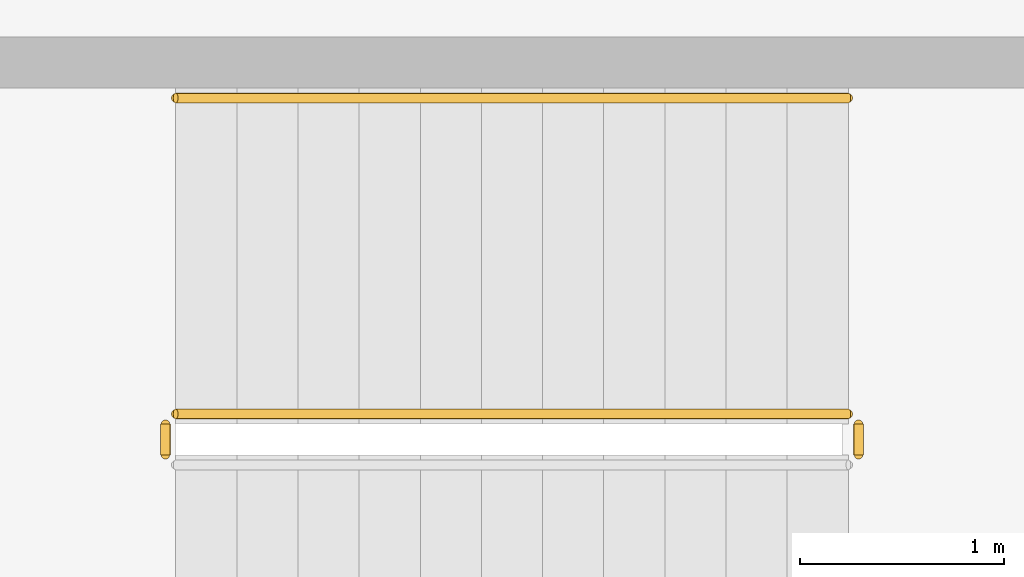
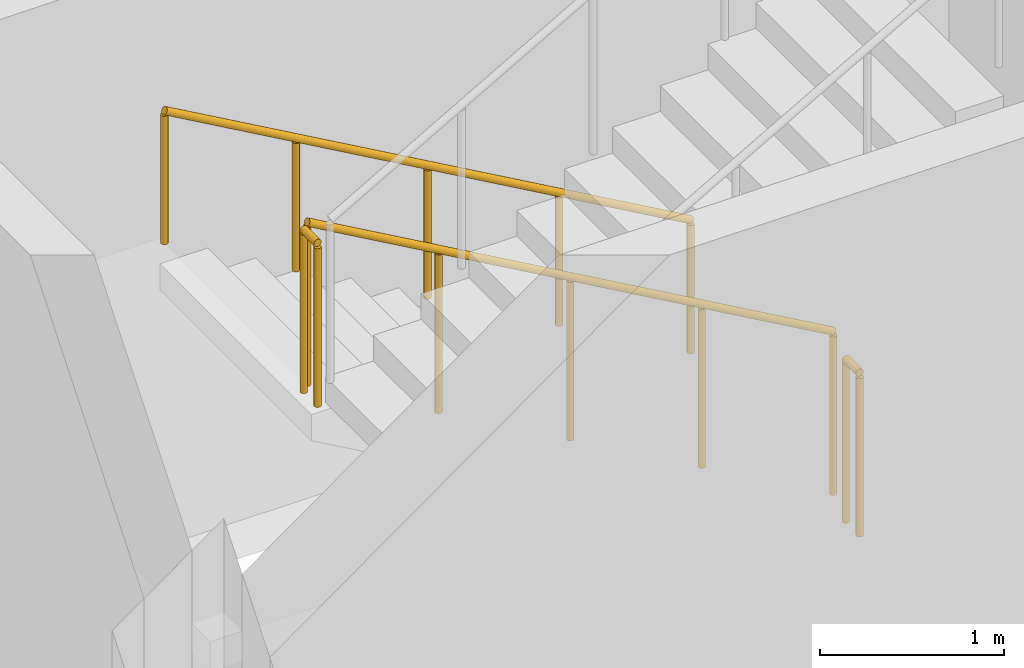
# One storey, part 26 of 31: 4 railings.
"""IFC4 building model written with IfcOpenShell, lengths in metres."""

import ifcopenshell
import ifcopenshell.guid

model = None  # the IFC model being written
_history = None  # IfcOwnerHistory: only IFC2X3 demands one
_inside = {}  # id of a spatial element -> (the spatial element, [elements in it])
_under = {}  # id of a project, library or spatial element -> (it, [spatial elements below it])
_declared = {}  # id of a project -> (the project, [libraries it declares])
_typed = {}  # id of a type object -> (the type object, [elements of that type])
_made_of = {}  # id of a material, layer set ... -> (it, [elements and type objects made of it])


def new_model(schema):
    """Start an empty IFC model of exactly this schema.

    Asked for "IFC4X3", IfcOpenShell would pick the latest addendum, in which some entities
    have other attributes; the version numbers below select the first issue.
    IFC2X3 requires an IfcOwnerHistory on every rooted entity: one is made here for all.
    """
    global model, _history
    if schema == "IFC4X3":
        model = ifcopenshell.file(schema_version=(4, 3, 0, 0))
    else:
        model = ifcopenshell.file(schema=schema)
    _inside.clear()
    _under.clear()
    _declared.clear()
    _typed.clear()
    _made_of.clear()
    _history = None
    if model.schema == "IFC2X3":
        org = make("IfcOrganization", Name="unknown")
        user = make(
            "IfcPersonAndOrganization",
            ThePerson=make("IfcPerson", FamilyName="unknown"),
            TheOrganization=org,
        )
        app = make(
            "IfcApplication",
            ApplicationDeveloper=org,
            Version="unknown",
            ApplicationFullName="unknown",
            ApplicationIdentifier="unknown",
        )
        _history = make(
            "IfcOwnerHistory",
            OwningUser=user,
            OwningApplication=app,
            ChangeAction="ADDED",
            CreationDate=0,
        )
    return model


def make(cls, **values):
    """One entity of the class cls with the attributes given. An attribute that is None is left unset."""
    return model.create_entity(
        cls, **{name: value for name, value in values.items() if value is not None}
    )


def rooted(cls, **values):
    """An entity with a GlobalId (a new one), such as an element, a storey or a relation."""
    return make(cls, GlobalId=ifcopenshell.guid.new(), OwnerHistory=_history, **values)


def si_unit(unit_type, name, prefix=None):
    """IfcSIUnit, for example si_unit("LENGTHUNIT", "METRE", prefix="MILLI")."""
    return make("IfcSIUnit", UnitType=unit_type, Prefix=prefix, Name=name)


def assignment(units):
    """IfcUnitAssignment: the units of a project."""
    return None if units is None else make("IfcUnitAssignment", Units=units)


def point(xyz):
    """IfcCartesianPoint."""
    return None if xyz is None else make("IfcCartesianPoint", Coordinates=xyz)


def direction(xyz):
    """IfcDirection."""
    return None if xyz is None else make("IfcDirection", DirectionRatios=xyz)


def frame(location, z_axis=None, x_axis=None):
    """IfcAxis2Placement3D, a coordinate frame: its origin and axes. An axis left out is left unset."""
    return make(
        "IfcAxis2Placement3D",
        Location=point(location),
        Axis=direction(z_axis),
        RefDirection=direction(x_axis),
    )


def frame_2d(location, x_axis=None):
    """IfcAxis2Placement2D, a coordinate frame in the plane: its origin and x axis."""
    return make(
        "IfcAxis2Placement2D", Location=point(location), RefDirection=direction(x_axis)
    )


def origin():
    """The frame at (0, 0, 0) with its axes left unset."""
    return frame((0.0, 0.0, 0.0))


def origin_2d():
    """The frame at (0, 0) in the plane with its x axis left unset."""
    return frame_2d((0.0, 0.0))


def place(relative_to, where):
    """IfcLocalPlacement: puts the frame where relative to a parent placement (None: the world)."""
    return make(
        "IfcLocalPlacement", PlacementRelTo=relative_to, RelativePlacement=where
    )


def context(
    kind, dimensions, precision=None, world=None, true_north=None, identifier=None
):
    """IfcGeometricRepresentationContext, for example the 3D "Model" context."""
    return make(
        "IfcGeometricRepresentationContext",
        ContextIdentifier=identifier,
        ContextType=kind,
        CoordinateSpaceDimension=dimensions,
        Precision=precision,
        WorldCoordinateSystem=world,
        TrueNorth=true_north,
    )


def subcontext(parent, identifier, kind, view, scale=None):
    """IfcGeometricRepresentationSubContext, for example "Body" below "Model"."""
    return make(
        "IfcGeometricRepresentationSubContext",
        ContextIdentifier=identifier,
        ContextType=kind,
        ParentContext=parent,
        TargetScale=scale,
        TargetView=view,
    )


def project(units=None, contexts=None):
    """IfcProject with its units and contexts."""
    return rooted(
        "IfcProject",
        Name="project",
        RepresentationContexts=contexts,
        UnitsInContext=assignment(units),
    )


def spatial(cls, under=None, at=None, **own):
    """A site, building, storey or space (cls), placed at a placement, below another one or the project."""
    s = rooted(cls, ObjectPlacement=at, **own)
    if under is not None:
        _under.setdefault(under.id(), (under, []))[1].append(s)
    return s


def profile(cls, at=None, kind="AREA", **sizes):
    """A parametric profile (cls). Its sizes go by their IFC names, for example OverallWidth=200.0."""
    return make(cls, ProfileType=kind, Position=at, **sizes)


def circle(**sizes):
    """IfcCircleProfileDef."""
    return profile("IfcCircleProfileDef", **sizes)


def extrude(swept, where, along, depth):
    """IfcExtrudedAreaSolid: the profile swept, set in the frame where, extruded along a direction by depth."""
    return make(
        "IfcExtrudedAreaSolid",
        SweptArea=swept,
        Position=where,
        ExtrudedDirection=direction(along),
        Depth=depth,
    )


def shape(context_of_items, identifier, shape_type, items):
    """IfcShapeRepresentation: the items that make up one representation, for example the "Body"."""
    return make(
        "IfcShapeRepresentation",
        ContextOfItems=context_of_items,
        RepresentationIdentifier=identifier,
        RepresentationType=shape_type,
        Items=items,
    )


def material(Name=None, Category=None):
    """IfcMaterial."""
    return make("IfcMaterial", Name=Name, Category=Category)


def made_of(thing, what):
    """Note that an element or type object is made of a material, layer set ...; save() writes the relation."""
    if what is not None:
        _made_of.setdefault(what.id(), (what, []))[1].append(thing)
    return thing


def type_object(cls, material=None, **own):
    """A type object (cls), such as IfcWallType, which elements share."""
    return made_of(rooted(cls, **own), material)


def element(
    cls,
    number,
    at=None,
    inside=None,
    cuts=None,
    type_object=None,
    material=None,
    context=None,
    identifier="Body",
    shape_type=None,
    held_by="IfcProductDefinitionShape",
    body=None,
    shapes=None,
    **own,
):
    """One element of the class cls, such as IfcWall. Its Tag is "e" and its number.

    at: its placement. inside: the storey or other place that contains it. cuts: it is an
    opening in that element (IfcRelVoidsElement). A single representation is given by context,
    identifier, shape_type and body (its items); several are given by shapes. held_by: the class
    of the entity that holds the representations. save() writes the other relations.
    """
    e = rooted(cls, Tag="e%d" % number, ObjectPlacement=at, **own)
    if body is not None:
        shapes = [shape(context, identifier, shape_type, body)]
    if shapes is not None:
        e.Representation = make(held_by, Representations=shapes)
    if inside is not None:
        _inside.setdefault(inside.id(), (inside, []))[1].append(e)
    if cuts is not None:
        rooted(
            "IfcRelVoidsElement", RelatingBuildingElement=cuts, RelatedOpeningElement=e
        )
    if type_object is not None:
        _typed.setdefault(type_object.id(), (type_object, []))[1].append(e)
    return made_of(e, material)


def aggregate(whole, parts):
    """IfcRelAggregates: a whole, such as a stair, and the parts it consists of."""
    return rooted("IfcRelAggregates", RelatingObject=whole, RelatedObjects=parts)


def save(model, path):
    """Write the relations noted so far, then the file.

    IfcRelAggregates (storeys below a building ...), IfcRelContainedInSpatialStructure (elements
    in a storey), IfcRelDefinesByType, IfcRelAssociatesMaterial and IfcRelDeclares: one each for
    every whole, place, type object, material and project.
    """
    for whole, parts in _under.values():
        aggregate(whole, parts)
    for where, things in _inside.values():
        rooted(
            "IfcRelContainedInSpatialStructure",
            RelatedElements=things,
            RelatingStructure=where,
        )
    for kind, things in _typed.values():
        rooted("IfcRelDefinesByType", RelatedObjects=things, RelatingType=kind)
    for what, things in _made_of.values():
        rooted("IfcRelAssociatesMaterial", RelatedObjects=things, RelatingMaterial=what)
    for by, libraries in _declared.values():
        rooted("IfcRelDeclares", RelatingContext=by, RelatedDefinitions=libraries)
    model.write(path)


model = new_model("IFC4")

# Units and contexts
model_context = context("Model", 3, precision=1e-05, world=origin(), true_north=direction((0.0, 1.0)))
body_context = subcontext(model_context, "Body", "Model", "MODEL_VIEW")
ifc_project = project(units=[si_unit("LENGTHUNIT", "METRE"), si_unit("AREAUNIT", "SQUARE_METRE"), si_unit("VOLUMEUNIT", "CUBIC_METRE"), si_unit("PLANEANGLEUNIT", "RADIAN"), si_unit("MASSUNIT", "GRAM", prefix="KILO")], contexts=[model_context])

# Site, building, storey
site_placement = place(None, origin())
site = spatial("IfcSite", under=ifc_project, at=site_placement, CompositionType="ELEMENT")
building_placement = place(site_placement, origin())
building = spatial("IfcBuilding", under=site, at=building_placement, Name="Corbel Stack Research Tower", CompositionType="ELEMENT")
storey_placement = place(building_placement, frame((0.0, 0.0, 15.39990234375)))
storey = spatial("IfcBuildingStorey", under=building, at=storey_placement, Name="L03", CompositionType="ELEMENT", Elevation=15.39990234375)

# Railings
ifc_material_1 = material(Name="Steel S235", Category="steel")
railing_type_1 = type_object("IfcRailingType", Name="HR1 guard 1100", PredefinedType="GUARDRAIL", material=ifc_material_1)
railing_1_placement = place(storey_placement, frame((42.425048828125, -21.64990234375, 0.1708984375)))
element("IfcRailing", 1, at=railing_1_placement, inside=storey, type_object=railing_type_1, Name="L03 HS1 stair guard 1", PredefinedType="GUARDRAIL", context=body_context, shape_type="SweptSolid", body=[
    extrude(circle(Radius=0.02392578125, at=origin_2d()), frame((0.0, 0.0, 1.076171875), z_axis=(-0.868989882718, 0.0, 0.494829853317), x_axis=(0.0, -1.0, 0.0)), (0.0, 0.0, 1.0), 3.797607421875),
    extrude(circle(Radius=0.02099609375, at=origin_2d()), origin(), (0.0, 0.0, 1.0), 1.052001953125),
    extrude(circle(Radius=0.02099609375, at=origin_2d()), frame((-0.824951171875, 0.0, 0.4697265625)), (0.0, 0.0, 1.0), 1.052001953125),
    extrude(circle(Radius=0.02099609375, at=origin_2d()), frame((-1.64990234375, 0.0, 0.939453125)), (0.0, 0.0, 1.0), 1.052001953125),
    extrude(circle(Radius=0.02099609375, at=origin_2d()), frame((-2.47509765625, 0.0, 1.409423828125)), (0.0, 0.0, 1.0), 1.052001953125),
    extrude(circle(Radius=0.02099609375, at=origin_2d()), frame((-3.300048828125, 0.0, 1.879150390625)), (0.0, 0.0, 1.0), 1.052001953125),
])
for number, where, name in (
    (2, (39.074951171875, -21.699951171875, 2.050048828125), "L03 HS1 stair guard 2"),
    (3, (42.47509765625, -21.699951171875, 0.0), "L03 HS1 stair guard 4"),
):
    element("IfcRailing", number, at=place(storey_placement, frame(where)), inside=storey, type_object=railing_type_1, Name=name, PredefinedType="GUARDRAIL", context=body_context, shape_type="SweptSolid", body=[
        extrude(circle(Radius=0.02392578125, at=origin_2d()), frame((0.0, 0.0, 1.076171875), z_axis=(0.0, -1.0, 0.0), x_axis=(1.0, 0.0, 0.0)), (0.0, 0.0, 1.0), 0.150146484375),
        extrude(circle(Radius=0.02099609375, at=origin_2d()), origin(), (0.0, 0.0, 1.0), 1.052001953125),
        extrude(circle(Radius=0.02099609375, at=origin_2d()), frame((0.0, -0.150146484375, 0.0)), (0.0, 0.0, 1.0), 1.052001953125),
    ])
ifc_material_2 = material(Name="Steel S235", Category="steel")
railing_type_2 = type_object("IfcRailingType", Name="HR2 handrail 900", PredefinedType="HANDRAIL", material=ifc_material_2)
railing_2_placement = place(storey_placement, frame((42.425048828125, -20.10009765625, 0.1708984375)))
element("IfcRailing", 4, at=railing_2_placement, inside=storey, type_object=railing_type_2, Name="L03 HS1 stair handrail 1", PredefinedType="HANDRAIL", context=body_context, shape_type="SweptSolid", body=[
    extrude(circle(Radius=0.02392578125, at=origin_2d()), frame((0.0, 0.0, 0.8759765625), z_axis=(-0.868989882718, 0.0, 0.494829853317), x_axis=(0.0, -1.0, 0.0)), (0.0, 0.0, 1.0), 3.797607421875),
    extrude(circle(Radius=0.02099609375, at=origin_2d()), origin(), (0.0, 0.0, 1.0), 0.851806640625),
    extrude(circle(Radius=0.02099609375, at=origin_2d()), frame((-0.824951171875, 0.0, 0.4697265625)), (0.0, 0.0, 1.0), 0.851806640625),
    extrude(circle(Radius=0.02099609375, at=origin_2d()), frame((-1.64990234375, 0.0, 0.939453125)), (0.0, 0.0, 1.0), 0.851806640625),
    extrude(circle(Radius=0.02099609375, at=origin_2d()), frame((-2.47509765625, 0.0, 1.409423828125)), (0.0, 0.0, 1.0), 0.851806640625),
    extrude(circle(Radius=0.02099609375, at=origin_2d()), frame((-3.300048828125, 0.0, 1.879150390625)), (0.0, 0.0, 1.0), 0.851806640625),
])

save(model, "model.ifc")
